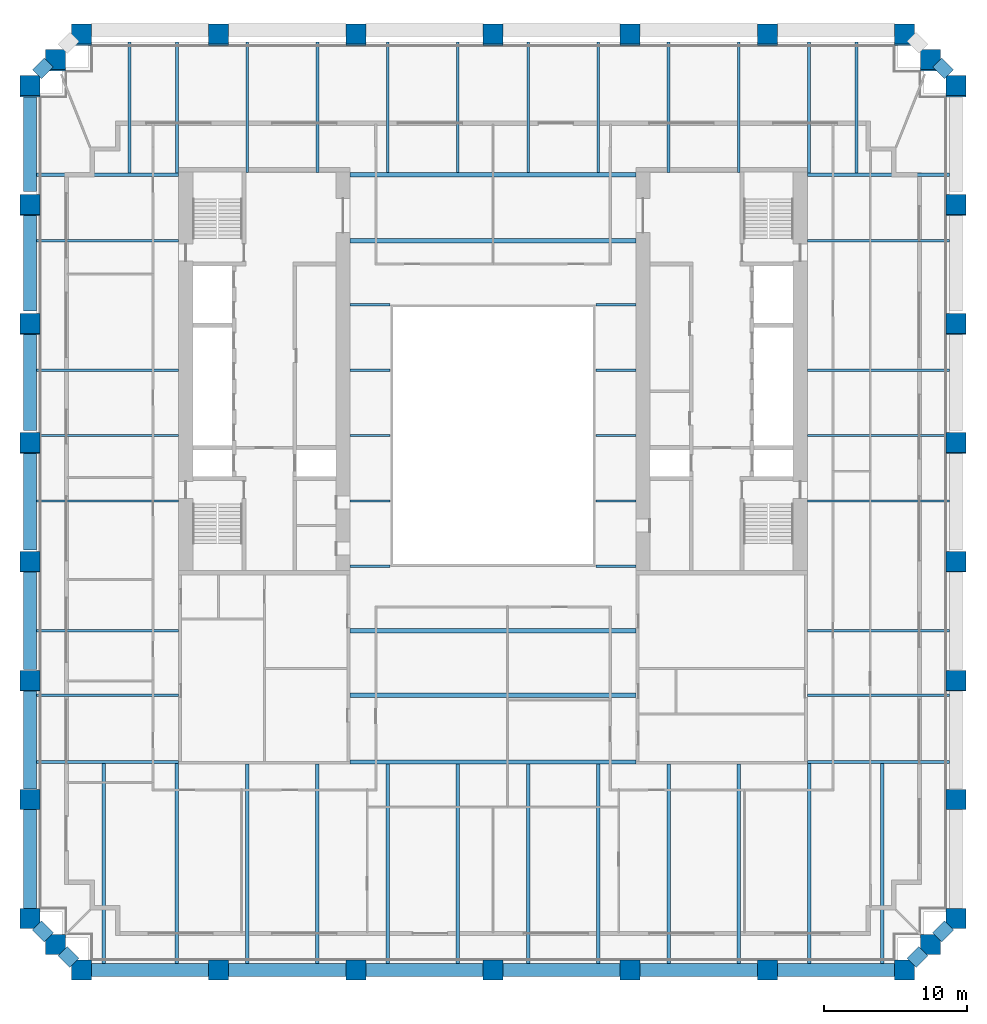
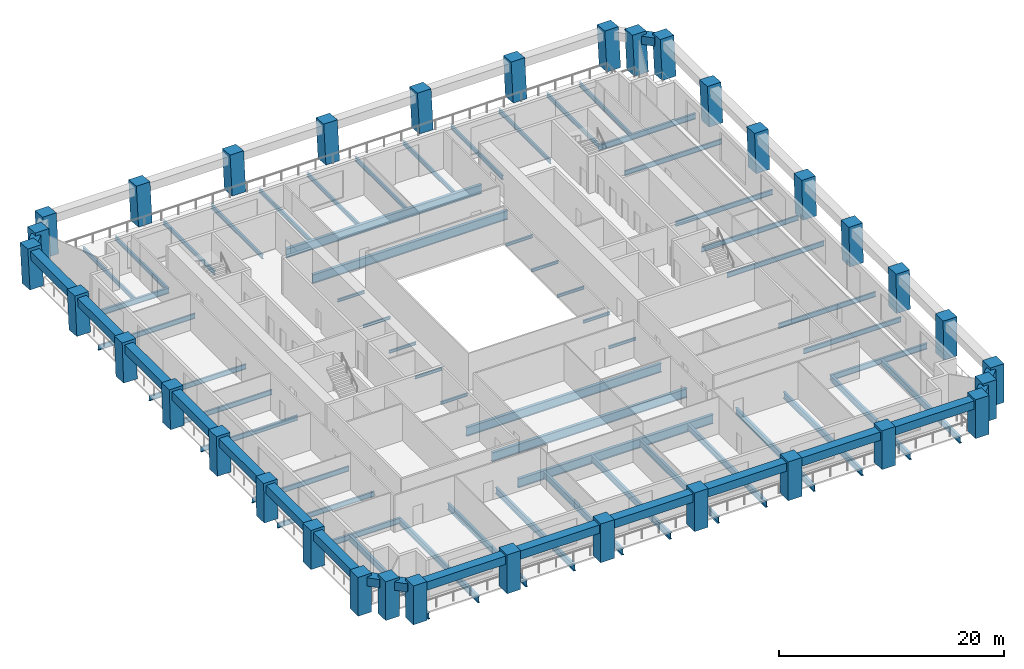
# One storey, part 1 of 10: 74 beams, 34 columns.
"""IFC4 building model written with IfcOpenShell, lengths in metres."""

from ifc_helpers import new_model, si_unit, direction, frame, origin, origin_2d, place, context, subcontext, project, spatial, rectangle, i_section, extrude, material, material_profile, profile_set, type_object, element, save


model = new_model("IFC4")

# Units and contexts
model_context = context("Model", 3, precision=1e-05, world=origin(), true_north=direction((0.0, 1.0)))
body_context = subcontext(model_context, "Body", "Model", "MODEL_VIEW")
ifc_project = project(units=[si_unit("LENGTHUNIT", "METRE"), si_unit("AREAUNIT", "SQUARE_METRE"), si_unit("VOLUMEUNIT", "CUBIC_METRE"), si_unit("PLANEANGLEUNIT", "RADIAN"), si_unit("MASSUNIT", "GRAM", prefix="KILO")], contexts=[model_context])

# Site, building, storey
site_placement = place(None, origin())
site = spatial("IfcSite", under=ifc_project, at=site_placement, CompositionType="ELEMENT")
building_placement = place(site_placement, origin())
building = spatial("IfcBuilding", under=site, at=building_placement, Name="Ogive Exchange Tower", CompositionType="ELEMENT")
storey_placement = place(building_placement, frame((0.0, 0.0, 73.199951171875)))
storey = spatial("IfcBuildingStorey", under=building, at=storey_placement, Name="L15", CompositionType="ELEMENT", Elevation=73.199951171875)

# Columns
ifc_material_1 = material(Name="Precast concrete C70/85 (limestone faced)", Category="masonry")
ifc_material_profile_1 = material_profile(ifc_material_1, rectangle(XDim=1.39990234375, YDim=1.39990234375, at=origin_2d()), Name="1400 x 1400")
ifc_profile_set_1 = profile_set([ifc_material_profile_1], Name="Precast concrete C70/85 (limestone faced)")
column_type = type_object("IfcColumnType", Name="Precast exoskeleton leg 1400 x 1400 C70/85", PredefinedType="COLUMN", material=ifc_profile_set_1)
for number, where, z_axis, x_axis, name in (
    (1, (-28.800048828125, -30.39990234375, 0.0), (0.0, 0.0, 1.0), (1.0, 0.0, 0.0), "Exoskeleton leg 1"),
    (2, (-19.199951171875, -30.39990234375, 0.0), (0.0, 0.0, 1.0), (1.0, 0.0, 0.0), "Exoskeleton leg 2"),
    (3, (-9.60009765625, -30.39990234375, 0.0), (0.0, 0.0, 1.0), (1.0, 0.0, 0.0), "Exoskeleton leg 3"),
    (4, (0.0, -30.39990234375, 0.0), (0.0, 0.0, 1.0), (1.0, 0.0, 0.0), "Exoskeleton leg 4"),
    (5, (9.60009765625, -30.39990234375, 0.0), (0.0, 0.0, 1.0), (1.0, 0.0, 0.0), "Exoskeleton leg 5"),
    (6, (19.199951171875, -30.39990234375, 0.0), (0.0, 0.0, 1.0), (1.0, 0.0, 0.0), "Exoskeleton leg 6"),
    (7, (28.800048828125, -30.39990234375, 0.0), (0.0, 0.0, 1.0), (1.0, 0.0, 0.0), "Exoskeleton leg 7"),
    (8, (32.39990234375, -26.800048828125, 0.0), (0.0, 0.0, 1.0), (1.0, 0.0, 0.0), "Exoskeleton leg 8"),
):
    element("IfcColumn", number, at=place(storey_placement, frame(where, z_axis=z_axis, x_axis=x_axis)), inside=storey, type_object=column_type, Name=name, PredefinedType="COLUMN", context=body_context, shape_type="SweptSolid", body=[
        extrude(rectangle(XDim=1.39990234375, YDim=1.39990234375, at=origin_2d()), origin(), (0.0, 0.0, 1.0), 4.199951171875),
    ])
column_1_placement = place(storey_placement, frame((32.39990234375, -18.485595703125, 0.0), z_axis=(0.0, 0.012961766342, 0.999915992778), x_axis=(-1.0, 0.0, 0.0)))
element("IfcColumn", 9, at=column_1_placement, inside=storey, type_object=column_type, Name="Exoskeleton leg 9", PredefinedType="COLUMN", context=body_context, shape_type="SweptSolid", body=[
    extrude(rectangle(XDim=1.39990234375, YDim=1.39990234375, at=origin_2d()), origin(), (0.0, 0.0, 1.0), 4.2001953125),
])
column_2_placement = place(storey_placement, frame((32.39990234375, -10.17138671875, 0.0), z_axis=(0.0, 0.025975072843, 0.999662590873), x_axis=(-1.0, 0.0, 0.0)))
element("IfcColumn", 10, at=column_2_placement, inside=storey, type_object=column_type, Name="Exoskeleton leg 10", PredefinedType="COLUMN", context=body_context, shape_type="SweptSolid", body=[
    extrude(rectangle(XDim=1.39990234375, YDim=1.39990234375, at=origin_2d()), origin(), (0.0, 0.0, 1.0), 4.201416015625),
])
column_3_placement = place(storey_placement, frame((32.39990234375, -1.857177734375, 0.0), z_axis=(0.0, 0.038917190853, 0.999242439179), x_axis=(-1.0, 0.0, 0.0)))
element("IfcColumn", 11, at=column_3_placement, inside=storey, type_object=column_type, Name="Exoskeleton leg 11", PredefinedType="COLUMN", context=body_context, shape_type="SweptSolid", body=[
    extrude(rectangle(XDim=1.39990234375, YDim=1.39990234375, at=origin_2d()), origin(), (0.0, 0.0, 1.0), 4.203125),
])
column_4_placement = place(storey_placement, frame((32.39990234375, 6.45703125, 0.0), z_axis=(0.0, 0.051897648879, 0.99865240902), x_axis=(-1.0, 0.0, 0.0)))
element("IfcColumn", 12, at=column_4_placement, inside=storey, type_object=column_type, Name="Exoskeleton leg 12", PredefinedType="COLUMN", context=body_context, shape_type="SweptSolid", body=[
    extrude(rectangle(XDim=1.39990234375, YDim=1.39990234375, at=origin_2d()), origin(), (0.0, 0.0, 1.0), 4.20556640625),
])
column_5_placement = place(storey_placement, frame((32.39990234375, 14.771484375, 0.0), z_axis=(0.0, 0.064794093908, 0.997898654872), x_axis=(-1.0, 0.0, 0.0)))
element("IfcColumn", 13, at=column_5_placement, inside=storey, type_object=column_type, Name="Exoskeleton leg 13", PredefinedType="COLUMN", context=body_context, shape_type="SweptSolid", body=[
    extrude(rectangle(XDim=1.39990234375, YDim=1.39990234375, at=origin_2d()), origin(), (0.0, 0.0, 1.0), 4.208740234375),
])
column_6_placement = place(storey_placement, frame((32.39990234375, 23.085693359375, 0.0), z_axis=(0.0, 0.07771576013, 0.996975556685), x_axis=(-1.0, 0.0, 0.0)))
element("IfcColumn", 14, at=column_6_placement, inside=storey, type_object=column_type, Name="Exoskeleton leg 14", PredefinedType="COLUMN", context=body_context, shape_type="SweptSolid", body=[
    extrude(rectangle(XDim=1.39990234375, YDim=1.39990234375, at=origin_2d()), origin(), (0.0, 0.0, 1.0), 4.212646484375),
])
for number, where, z_axis, x_axis, name in (
    (15, (32.39990234375, 31.39990234375, 0.0), (0.0, 0.090540965689, 0.995892731941), (-1.0, 0.0, 0.0), "Exoskeleton leg 15"),
    (16, (28.800048828125, 35.0, 0.0), (0.0, 0.090540965689, 0.995892731941), (-1.0, 0.0, 0.0), "Exoskeleton leg 16"),
    (17, (19.199951171875, 35.0, 0.0), (0.0, 0.090540965689, 0.995892731941), (-1.0, 0.0, 0.0), "Exoskeleton leg 17"),
    (18, (9.60009765625, 35.0, 0.0), (0.0, 0.090540965689, 0.995892731941), (-1.0, 0.0, 0.0), "Exoskeleton leg 18"),
    (19, (0.0, 35.0, 0.0), (0.0, 0.090540965689, 0.995892731941), (-1.0, 0.0, 0.0), "Exoskeleton leg 19"),
    (20, (-9.60009765625, 35.0, 0.0), (0.0, 0.090540965689, 0.995892731941), (-1.0, 0.0, 0.0), "Exoskeleton leg 20"),
    (21, (-19.199951171875, 35.0, 0.0), (0.0, 0.090540965689, 0.995892731941), (-1.0, 0.0, 0.0), "Exoskeleton leg 21"),
    (22, (-28.800048828125, 35.0, 0.0), (0.0, 0.090540965689, 0.995892731941), (-1.0, 0.0, 0.0), "Exoskeleton leg 22"),
    (23, (-32.39990234375, 31.39990234375, 0.0), (0.0, 0.090540965689, 0.995892731941), (-1.0, 0.0, 0.0), "Exoskeleton leg 23"),
):
    element("IfcColumn", number, at=place(storey_placement, frame(where, z_axis=z_axis, x_axis=x_axis)), inside=storey, type_object=column_type, Name=name, PredefinedType="COLUMN", context=body_context, shape_type="SweptSolid", body=[
        extrude(rectangle(XDim=1.39990234375, YDim=1.39990234375, at=origin_2d()), origin(), (0.0, 0.0, 1.0), 4.21728515625),
    ])
column_7_placement = place(storey_placement, frame((-32.39990234375, 23.085693359375, 0.0), z_axis=(0.0, 0.07771576013, 0.996975556685), x_axis=(-1.0, 0.0, 0.0)))
element("IfcColumn", 24, at=column_7_placement, inside=storey, type_object=column_type, Name="Exoskeleton leg 24", PredefinedType="COLUMN", context=body_context, shape_type="SweptSolid", body=[
    extrude(rectangle(XDim=1.39990234375, YDim=1.39990234375, at=origin_2d()), origin(), (0.0, 0.0, 1.0), 4.212646484375),
])
column_8_placement = place(storey_placement, frame((-32.39990234375, 14.771484375, 0.0), z_axis=(0.0, 0.064794093908, 0.997898654872), x_axis=(-1.0, 0.0, 0.0)))
element("IfcColumn", 25, at=column_8_placement, inside=storey, type_object=column_type, Name="Exoskeleton leg 25", PredefinedType="COLUMN", context=body_context, shape_type="SweptSolid", body=[
    extrude(rectangle(XDim=1.39990234375, YDim=1.39990234375, at=origin_2d()), origin(), (0.0, 0.0, 1.0), 4.208740234375),
])
column_9_placement = place(storey_placement, frame((-32.39990234375, 6.45703125, 0.0), z_axis=(0.0, 0.051897648879, 0.99865240902), x_axis=(-1.0, 0.0, 0.0)))
element("IfcColumn", 26, at=column_9_placement, inside=storey, type_object=column_type, Name="Exoskeleton leg 26", PredefinedType="COLUMN", context=body_context, shape_type="SweptSolid", body=[
    extrude(rectangle(XDim=1.39990234375, YDim=1.39990234375, at=origin_2d()), origin(), (0.0, 0.0, 1.0), 4.20556640625),
])
column_10_placement = place(storey_placement, frame((-32.39990234375, -1.857177734375, 0.0), z_axis=(0.0, 0.038917190853, 0.999242439179), x_axis=(-1.0, 0.0, 0.0)))
element("IfcColumn", 27, at=column_10_placement, inside=storey, type_object=column_type, Name="Exoskeleton leg 27", PredefinedType="COLUMN", context=body_context, shape_type="SweptSolid", body=[
    extrude(rectangle(XDim=1.39990234375, YDim=1.39990234375, at=origin_2d()), origin(), (0.0, 0.0, 1.0), 4.203125),
])
column_11_placement = place(storey_placement, frame((-32.39990234375, -10.17138671875, 0.0), z_axis=(0.0, 0.025975072843, 0.999662590873), x_axis=(-1.0, 0.0, 0.0)))
element("IfcColumn", 28, at=column_11_placement, inside=storey, type_object=column_type, Name="Exoskeleton leg 28", PredefinedType="COLUMN", context=body_context, shape_type="SweptSolid", body=[
    extrude(rectangle(XDim=1.39990234375, YDim=1.39990234375, at=origin_2d()), origin(), (0.0, 0.0, 1.0), 4.201416015625),
])
column_12_placement = place(storey_placement, frame((-32.39990234375, -18.485595703125, 0.0), z_axis=(0.0, 0.012961766342, 0.999915992778), x_axis=(-1.0, 0.0, 0.0)))
element("IfcColumn", 29, at=column_12_placement, inside=storey, type_object=column_type, Name="Exoskeleton leg 29", PredefinedType="COLUMN", context=body_context, shape_type="SweptSolid", body=[
    extrude(rectangle(XDim=1.39990234375, YDim=1.39990234375, at=origin_2d()), origin(), (0.0, 0.0, 1.0), 4.2001953125),
])
for number, where, z_axis, x_axis, name in (
    (30, (-32.39990234375, -26.800048828125, 0.0), (0.0, 0.0, 1.0), (1.0, 0.0, 0.0), "Exoskeleton leg 30"),
    (31, (30.60009765625, -28.60009765625, 0.0), (0.0, 0.0, 1.0), (1.0, 0.0, 0.0), "Exoskeleton leg 31"),
):
    element("IfcColumn", number, at=place(storey_placement, frame(where, z_axis=z_axis, x_axis=x_axis)), inside=storey, type_object=column_type, Name=name, PredefinedType="COLUMN", context=body_context, shape_type="SweptSolid", body=[
        extrude(rectangle(XDim=1.39990234375, YDim=1.39990234375, at=origin_2d()), origin(), (0.0, 0.0, 1.0), 4.199951171875),
    ])
for number, where, z_axis, x_axis, name in (
    (32, (30.60009765625, 33.199951171875, 0.0), (0.0, 0.090540965689, 0.995892731941), (-1.0, 0.0, 0.0), "Exoskeleton leg 32"),
    (33, (-30.60009765625, 33.199951171875, 0.0), (0.0, 0.090540965689, 0.995892731941), (-1.0, 0.0, 0.0), "Exoskeleton leg 33"),
):
    element("IfcColumn", number, at=place(storey_placement, frame(where, z_axis=z_axis, x_axis=x_axis)), inside=storey, type_object=column_type, Name=name, PredefinedType="COLUMN", context=body_context, shape_type="SweptSolid", body=[
        extrude(rectangle(XDim=1.39990234375, YDim=1.39990234375, at=origin_2d()), origin(), (0.0, 0.0, 1.0), 4.21728515625),
    ])
column_13_placement = place(storey_placement, frame((-30.60009765625, -28.60009765625, 0.0), z_axis=(0.0, 0.0, 1.0), x_axis=(1.0, 0.0, 0.0)))
element("IfcColumn", 34, at=column_13_placement, inside=storey, type_object=column_type, Name="Exoskeleton leg 34", PredefinedType="COLUMN", context=body_context, shape_type="SweptSolid", body=[
    extrude(rectangle(XDim=1.39990234375, YDim=1.39990234375, at=origin_2d()), origin(), (0.0, 0.0, 1.0), 4.199951171875),
])

# Beams
ifc_material_2 = material(Name="Steel ASTM A992 Gr50", Category="steel")
ifc_material_profile_2 = material_profile(ifc_material_2, i_section(OverallWidth=0.300048828125, OverallDepth=0.969970703125, WebThickness=0.01611328125, FlangeThickness=0.02099609375, at=origin_2d()), Name="W1000x222")
ifc_profile_set_2 = profile_set([ifc_material_profile_2], Name="Steel ASTM A992 Gr50")
beam_type_1 = type_object("IfcBeamType", Name="Floor beam W1000x222", PredefinedType="JOIST", material=ifc_profile_set_2)
for number, where, z_axis, x_axis, name in (
    (35, (-10.0, -11.17822265625, -0.68505859375), (1.0, 0.0, 0.0), (0.0, 1.0, 0.0), "Floor beam"),
    (36, (-10.0, -6.666748046875, -0.68505859375), (1.0, 0.0, 0.0), (0.0, 1.0, 0.0), "Floor beam"),
    (37, (-10.0, 20.62255859375, -0.68505859375), (1.0, 0.0, 0.0), (0.0, 1.0, 0.0), "Floor beam"),
):
    element("IfcBeam", number, at=place(storey_placement, frame(where, z_axis=z_axis, x_axis=x_axis)), inside=storey, type_object=beam_type_1, Name=name, PredefinedType="JOIST", context=body_context, shape_type="SweptSolid", body=[
        extrude(i_section(OverallWidth=0.300048828125, OverallDepth=0.969970703125, WebThickness=0.01611328125, FlangeThickness=0.02099609375, at=origin_2d()), origin(), (0.0, 0.0, 1.0), 20.0),
    ])
ifc_material_profile_3 = material_profile(ifc_material_2, i_section(OverallWidth=0.1650390625, OverallDepth=0.31005859375, WebThickness=0.005859375, FlangeThickness=0.009765625, at=origin_2d()), Name="W310x38.7")
ifc_profile_set_3 = profile_set([ifc_material_profile_3], Name="Steel ASTM A992 Gr50")
beam_type_2 = type_object("IfcBeamType", Name="Floor beam W310x38.7", PredefinedType="JOIST", material=ifc_profile_set_3)
for number, where, z_axis, x_axis, name in (
    (38, (-10.0, 2.422607421875, -0.35498046875), (1.0, 0.0, 0.0), (0.0, 1.0, 0.0), "Floor beam"),
    (39, (7.219970703125, 2.422607421875, -0.35498046875), (1.0, 0.0, 0.0), (0.0, 1.0, 0.0), "Floor beam"),
    (40, (-10.0, 7.0, -0.35498046875), (1.0, 0.0, 0.0), (0.0, 1.0, 0.0), "Floor beam"),
    (41, (7.219970703125, 7.0, -0.35498046875), (1.0, 0.0, 0.0), (0.0, 1.0, 0.0), "Floor beam"),
    (42, (-10.0, 11.577392578125, -0.35498046875), (1.0, 0.0, 0.0), (0.0, 1.0, 0.0), "Floor beam"),
    (43, (7.219970703125, 11.577392578125, -0.35498046875), (1.0, 0.0, 0.0), (0.0, 1.0, 0.0), "Floor beam"),
):
    element("IfcBeam", number, at=place(storey_placement, frame(where, z_axis=z_axis, x_axis=x_axis)), inside=storey, type_object=beam_type_2, Name=name, PredefinedType="JOIST", context=body_context, shape_type="SweptSolid", body=[
        extrude(i_section(OverallWidth=0.1650390625, OverallDepth=0.31005859375, WebThickness=0.005859375, FlangeThickness=0.009765625, at=origin_2d()), origin(), (0.0, 0.0, 1.0), 2.780029296875),
    ])
ifc_material_profile_4 = material_profile(ifc_material_2, i_section(OverallWidth=0.19091796875, OverallDepth=0.45703125, WebThickness=0.009033203125, FlangeThickness=0.014404296875, at=origin_2d()), Name="W460x74")
ifc_profile_set_4 = profile_set([ifc_material_profile_4], Name="Steel ASTM A992 Gr50")
beam_type_3 = type_object("IfcBeamType", Name="Floor beam W460x74", PredefinedType="JOIST", material=ifc_profile_set_4)
for number, where, z_axis, x_axis, name in (
    (44, (-25.4345703125, 25.35888671875, -0.428466796875), (0.0, 1.0, 0.0), (-1.0, 0.0, 0.0), "Floor beam"),
    (45, (-22.119140625, 25.35888671875, -0.428466796875), (0.0, 1.0, 0.0), (-1.0, 0.0, 0.0), "Floor beam"),
):
    element("IfcBeam", number, at=place(storey_placement, frame(where, z_axis=z_axis, x_axis=x_axis)), inside=storey, type_object=beam_type_3, Name=name, PredefinedType="JOIST", context=body_context, shape_type="SweptSolid", body=[
        extrude(i_section(OverallWidth=0.19091796875, OverallDepth=0.45703125, WebThickness=0.009033203125, FlangeThickness=0.014404296875, at=origin_2d()), origin(), (0.0, 0.0, 1.0), 9.191162109375),
    ])
for number, where, z_axis, x_axis, name in (
    (46, (-17.203857421875, 25.39990234375, -0.428466796875), (0.0, 1.0, 0.0), (-1.0, 0.0, 0.0), "Floor beam"),
    (47, (-12.28857421875, 25.39990234375, -0.428466796875), (0.0, 1.0, 0.0), (-1.0, 0.0, 0.0), "Floor beam"),
):
    element("IfcBeam", number, at=place(storey_placement, frame(where, z_axis=z_axis, x_axis=x_axis)), inside=storey, type_object=beam_type_3, Name=name, PredefinedType="JOIST", context=body_context, shape_type="SweptSolid", body=[
        extrude(i_section(OverallWidth=0.19091796875, OverallDepth=0.45703125, WebThickness=0.009033203125, FlangeThickness=0.014404296875, at=origin_2d()), origin(), (0.0, 0.0, 1.0), 9.150146484375),
    ])
for number, where, z_axis, x_axis, name in (
    (48, (-7.373046875, 25.39501953125, -0.428466796875), (0.0, 1.0, 0.0), (-1.0, 0.0, 0.0), "Floor beam"),
    (49, (-2.457763671875, 25.39501953125, -0.428466796875), (0.0, 1.0, 0.0), (-1.0, 0.0, 0.0), "Floor beam"),
    (50, (2.457763671875, 25.39501953125, -0.428466796875), (0.0, 1.0, 0.0), (-1.0, 0.0, 0.0), "Floor beam"),
    (51, (7.373046875, 25.39501953125, -0.428466796875), (0.0, 1.0, 0.0), (-1.0, 0.0, 0.0), "Floor beam"),
):
    element("IfcBeam", number, at=place(storey_placement, frame(where, z_axis=z_axis, x_axis=x_axis)), inside=storey, type_object=beam_type_3, Name=name, PredefinedType="JOIST", context=body_context, shape_type="SweptSolid", body=[
        extrude(i_section(OverallWidth=0.19091796875, OverallDepth=0.45703125, WebThickness=0.009033203125, FlangeThickness=0.014404296875, at=origin_2d()), origin(), (0.0, 0.0, 1.0), 9.155029296875),
    ])
for number, where, z_axis, x_axis, name in (
    (52, (12.28857421875, 25.39990234375, -0.428466796875), (0.0, 1.0, 0.0), (-1.0, 0.0, 0.0), "Floor beam"),
    (53, (17.203857421875, 25.39990234375, -0.428466796875), (0.0, 1.0, 0.0), (-1.0, 0.0, 0.0), "Floor beam"),
):
    element("IfcBeam", number, at=place(storey_placement, frame(where, z_axis=z_axis, x_axis=x_axis)), inside=storey, type_object=beam_type_3, Name=name, PredefinedType="JOIST", context=body_context, shape_type="SweptSolid", body=[
        extrude(i_section(OverallWidth=0.19091796875, OverallDepth=0.45703125, WebThickness=0.009033203125, FlangeThickness=0.014404296875, at=origin_2d()), origin(), (0.0, 0.0, 1.0), 9.150146484375),
    ])
for number, where, z_axis, x_axis, name in (
    (54, (22.119140625, 25.35888671875, -0.428466796875), (0.0, 1.0, 0.0), (-1.0, 0.0, 0.0), "Floor beam"),
    (55, (25.4345703125, 25.35888671875, -0.428466796875), (0.0, 1.0, 0.0), (-1.0, 0.0, 0.0), "Floor beam"),
):
    element("IfcBeam", number, at=place(storey_placement, frame(where, z_axis=z_axis, x_axis=x_axis)), inside=storey, type_object=beam_type_3, Name=name, PredefinedType="JOIST", context=body_context, shape_type="SweptSolid", body=[
        extrude(i_section(OverallWidth=0.19091796875, OverallDepth=0.45703125, WebThickness=0.009033203125, FlangeThickness=0.014404296875, at=origin_2d()), origin(), (0.0, 0.0, 1.0), 9.191162109375),
    ])
ifc_material_profile_5 = material_profile(ifc_material_2, i_section(OverallWidth=0.1669921875, OverallDepth=0.535888671875, WebThickness=0.01025390625, FlangeThickness=0.0166015625, at=origin_2d()), Name="W530x85")
ifc_profile_set_5 = profile_set([ifc_material_profile_5], Name="Steel ASTM A992 Gr50")
beam_type_4 = type_object("IfcBeamType", Name="Floor beam W530x85", PredefinedType="JOIST", material=ifc_profile_set_5)
for number, where, z_axis, x_axis, name in (
    (56, (-31.949951171875, -11.17822265625, -0.468017578125), (1.0, 0.0, 0.0), (0.0, 1.0, 0.0), "Floor beam"),
    (57, (22.0, -11.17822265625, -0.468017578125), (1.0, 0.0, 0.0), (0.0, 1.0, 0.0), "Floor beam"),
    (58, (-31.949951171875, -6.666748046875, -0.468017578125), (1.0, 0.0, 0.0), (0.0, 1.0, 0.0), "Floor beam"),
    (59, (22.0, -6.666748046875, -0.468017578125), (1.0, 0.0, 0.0), (0.0, 1.0, 0.0), "Floor beam"),
    (60, (-31.949951171875, 2.422607421875, -0.468017578125), (1.0, 0.0, 0.0), (0.0, 1.0, 0.0), "Floor beam"),
    (61, (22.0, 2.422607421875, -0.468017578125), (1.0, 0.0, 0.0), (0.0, 1.0, 0.0), "Floor beam"),
    (62, (-31.949951171875, 7.0, -0.468017578125), (1.0, 0.0, 0.0), (0.0, 1.0, 0.0), "Floor beam"),
    (63, (22.0, 7.0, -0.468017578125), (1.0, 0.0, 0.0), (0.0, 1.0, 0.0), "Floor beam"),
    (64, (-31.949951171875, 11.577392578125, -0.468017578125), (1.0, 0.0, 0.0), (0.0, 1.0, 0.0), "Floor beam"),
    (65, (22.0, 11.577392578125, -0.468017578125), (1.0, 0.0, 0.0), (0.0, 1.0, 0.0), "Floor beam"),
    (66, (-31.949951171875, 20.62255859375, -0.468017578125), (1.0, 0.0, 0.0), (0.0, 1.0, 0.0), "Floor beam"),
    (67, (22.0, 20.62255859375, -0.468017578125), (1.0, 0.0, 0.0), (0.0, 1.0, 0.0), "Floor beam"),
):
    element("IfcBeam", number, at=place(storey_placement, frame(where, z_axis=z_axis, x_axis=x_axis)), inside=storey, type_object=beam_type_4, Name=name, PredefinedType="JOIST", context=body_context, shape_type="SweptSolid", body=[
        extrude(i_section(OverallWidth=0.1669921875, OverallDepth=0.535888671875, WebThickness=0.01025390625, FlangeThickness=0.0166015625, at=origin_2d()), origin(), (0.0, 0.0, 1.0), 9.949951171875),
    ])
ifc_material_profile_6 = material_profile(ifc_material_2, i_section(OverallWidth=0.25390625, OverallDepth=0.677978515625, WebThickness=0.01171875, FlangeThickness=0.016357421875, at=origin_2d()), Name="W690x125")
ifc_profile_set_6 = profile_set([ifc_material_profile_6], Name="Steel ASTM A992 Gr50")
beam_type_5 = type_object("IfcBeamType", Name="Floor beam W690x125", PredefinedType="JOIST", material=ifc_profile_set_6)
for number, where, z_axis, x_axis, name in (
    (68, (-27.234619140625, -29.949951171875, -0.5390625), (0.0, 1.0, 0.0), (-1.0, 0.0, 0.0), "Floor beam"),
    (69, (-22.119140625, -29.949951171875, -0.5390625), (0.0, 1.0, 0.0), (-1.0, 0.0, 0.0), "Floor beam"),
):
    element("IfcBeam", number, at=place(storey_placement, frame(where, z_axis=z_axis, x_axis=x_axis)), inside=storey, type_object=beam_type_5, Name=name, PredefinedType="JOIST", context=body_context, shape_type="SweptSolid", body=[
        extrude(i_section(OverallWidth=0.25390625, OverallDepth=0.677978515625, WebThickness=0.01171875, FlangeThickness=0.016357421875, at=origin_2d()), origin(), (0.0, 0.0, 1.0), 13.990966796875),
    ])
for number, where, z_axis, x_axis, name in (
    (70, (-17.203857421875, -29.949951171875, -0.5390625), (0.0, 1.0, 0.0), (-1.0, 0.0, 0.0), "Floor beam"),
    (71, (-12.28857421875, -29.949951171875, -0.5390625), (0.0, 1.0, 0.0), (-1.0, 0.0, 0.0), "Floor beam"),
):
    element("IfcBeam", number, at=place(storey_placement, frame(where, z_axis=z_axis, x_axis=x_axis)), inside=storey, type_object=beam_type_5, Name=name, PredefinedType="JOIST", context=body_context, shape_type="SweptSolid", body=[
        extrude(i_section(OverallWidth=0.25390625, OverallDepth=0.677978515625, WebThickness=0.01171875, FlangeThickness=0.016357421875, at=origin_2d()), origin(), (0.0, 0.0, 1.0), 13.949951171875),
    ])
for number, where, z_axis, x_axis, name in (
    (72, (-7.373046875, -29.949951171875, -0.5390625), (0.0, 1.0, 0.0), (-1.0, 0.0, 0.0), "Floor beam"),
    (73, (-2.457763671875, -29.949951171875, -0.5390625), (0.0, 1.0, 0.0), (-1.0, 0.0, 0.0), "Floor beam"),
    (74, (2.457763671875, -29.949951171875, -0.5390625), (0.0, 1.0, 0.0), (-1.0, 0.0, 0.0), "Floor beam"),
    (75, (7.373046875, -29.949951171875, -0.5390625), (0.0, 1.0, 0.0), (-1.0, 0.0, 0.0), "Floor beam"),
):
    element("IfcBeam", number, at=place(storey_placement, frame(where, z_axis=z_axis, x_axis=x_axis)), inside=storey, type_object=beam_type_5, Name=name, PredefinedType="JOIST", context=body_context, shape_type="SweptSolid", body=[
        extrude(i_section(OverallWidth=0.25390625, OverallDepth=0.677978515625, WebThickness=0.01171875, FlangeThickness=0.016357421875, at=origin_2d()), origin(), (0.0, 0.0, 1.0), 13.954833984375),
    ])
for number, where, z_axis, x_axis, name in (
    (76, (12.28857421875, -29.949951171875, -0.5390625), (0.0, 1.0, 0.0), (-1.0, 0.0, 0.0), "Floor beam"),
    (77, (17.203857421875, -29.949951171875, -0.5390625), (0.0, 1.0, 0.0), (-1.0, 0.0, 0.0), "Floor beam"),
):
    element("IfcBeam", number, at=place(storey_placement, frame(where, z_axis=z_axis, x_axis=x_axis)), inside=storey, type_object=beam_type_5, Name=name, PredefinedType="JOIST", context=body_context, shape_type="SweptSolid", body=[
        extrude(i_section(OverallWidth=0.25390625, OverallDepth=0.677978515625, WebThickness=0.01171875, FlangeThickness=0.016357421875, at=origin_2d()), origin(), (0.0, 0.0, 1.0), 13.949951171875),
    ])
for number, where, z_axis, x_axis, name in (
    (78, (22.119140625, -29.949951171875, -0.5390625), (0.0, 1.0, 0.0), (-1.0, 0.0, 0.0), "Floor beam"),
    (79, (27.234619140625, -29.949951171875, -0.5390625), (0.0, 1.0, 0.0), (-1.0, 0.0, 0.0), "Floor beam"),
):
    element("IfcBeam", number, at=place(storey_placement, frame(where, z_axis=z_axis, x_axis=x_axis)), inside=storey, type_object=beam_type_5, Name=name, PredefinedType="JOIST", context=body_context, shape_type="SweptSolid", body=[
        extrude(i_section(OverallWidth=0.25390625, OverallDepth=0.677978515625, WebThickness=0.01171875, FlangeThickness=0.016357421875, at=origin_2d()), origin(), (0.0, 0.0, 1.0), 13.990966796875),
    ])
ifc_material_profile_7 = material_profile(ifc_material_2, i_section(OverallWidth=0.300048828125, OverallDepth=0.97998046875, WebThickness=0.0166015625, FlangeThickness=0.026123046875, at=origin_2d()), Name="W1000x249")
ifc_profile_set_7 = profile_set([ifc_material_profile_7], Name="Steel ASTM A992 Gr50")
beam_type_6 = type_object("IfcBeamType", Name="Girder W1000x249", PredefinedType="BEAM", material=ifc_profile_set_7)
for number, where, z_axis, x_axis, name in (
    (80, (-10.0, -15.844970703125, -0.68994140625), (1.0, 0.0, 0.0), (0.0, 1.0, 0.0), "Header girder"),
    (81, (-10.0, 25.2451171875, -0.68994140625), (1.0, 0.0, 0.0), (0.0, 1.0, 0.0), "Header girder"),
):
    element("IfcBeam", number, at=place(storey_placement, frame(where, z_axis=z_axis, x_axis=x_axis)), inside=storey, type_object=beam_type_6, Name=name, PredefinedType="BEAM", context=body_context, shape_type="SweptSolid", body=[
        extrude(i_section(OverallWidth=0.300048828125, OverallDepth=0.97998046875, WebThickness=0.0166015625, FlangeThickness=0.026123046875, at=origin_2d()), origin(), (0.0, 0.0, 1.0), 20.0),
    ])
ifc_material_profile_8 = material_profile(ifc_material_2, i_section(OverallWidth=0.1650390625, OverallDepth=0.31005859375, WebThickness=0.005859375, FlangeThickness=0.009765625, at=origin_2d()), Name="W310x38.7")
ifc_profile_set_8 = profile_set([ifc_material_profile_8], Name="Steel ASTM A992 Gr50")
beam_type_7 = type_object("IfcBeamType", Name="Girder W310x38.7", PredefinedType="BEAM", material=ifc_profile_set_8)
for number, where, z_axis, x_axis, name in (
    (82, (-10.0, -2.155029296875, -0.35498046875), (1.0, 0.0, 0.0), (0.0, 1.0, 0.0), "Trimmer girder"),
    (83, (7.219970703125, -2.155029296875, -0.35498046875), (1.0, 0.0, 0.0), (0.0, 1.0, 0.0), "Trimmer girder"),
    (84, (-10.0, 16.155029296875, -0.35498046875), (1.0, 0.0, 0.0), (0.0, 1.0, 0.0), "Trimmer girder"),
    (85, (7.219970703125, 16.155029296875, -0.35498046875), (1.0, 0.0, 0.0), (0.0, 1.0, 0.0), "Trimmer girder"),
):
    element("IfcBeam", number, at=place(storey_placement, frame(where, z_axis=z_axis, x_axis=x_axis)), inside=storey, type_object=beam_type_7, Name=name, PredefinedType="BEAM", context=body_context, shape_type="SweptSolid", body=[
        extrude(i_section(OverallWidth=0.1650390625, OverallDepth=0.31005859375, WebThickness=0.005859375, FlangeThickness=0.009765625, at=origin_2d()), origin(), (0.0, 0.0, 1.0), 2.780029296875),
    ])
ifc_material_profile_9 = material_profile(ifc_material_2, i_section(OverallWidth=0.22802734375, OverallDepth=0.60205078125, WebThickness=0.010498046875, FlangeThickness=0.014892578125, at=origin_2d()), Name="W610x101")
ifc_profile_set_9 = profile_set([ifc_material_profile_9], Name="Steel ASTM A992 Gr50")
beam_type_8 = type_object("IfcBeamType", Name="Girder W610x101", PredefinedType="BEAM", material=ifc_profile_set_9)
for number, where, z_axis, x_axis, name in (
    (86, (-31.949951171875, -15.844970703125, -0.5009765625), (1.0, 0.0, 0.0), (0.0, 1.0, 0.0), "Header girder"),
    (87, (22.0, -15.844970703125, -0.5009765625), (1.0, 0.0, 0.0), (0.0, 1.0, 0.0), "Header girder"),
    (88, (-31.949951171875, 25.2451171875, -0.5009765625), (1.0, 0.0, 0.0), (0.0, 1.0, 0.0), "Header girder"),
    (89, (22.0, 25.2451171875, -0.5009765625), (1.0, 0.0, 0.0), (0.0, 1.0, 0.0), "Header girder"),
):
    element("IfcBeam", number, at=place(storey_placement, frame(where, z_axis=z_axis, x_axis=x_axis)), inside=storey, type_object=beam_type_8, Name=name, PredefinedType="BEAM", context=body_context, shape_type="SweptSolid", body=[
        extrude(i_section(OverallWidth=0.22802734375, OverallDepth=0.60205078125, WebThickness=0.010498046875, FlangeThickness=0.014892578125, at=origin_2d()), origin(), (0.0, 0.0, 1.0), 9.949951171875),
    ])
ifc_material_profile_10 = material_profile(ifc_material_1, rectangle(XDim=0.89990234375, YDim=0.89990234375, at=origin_2d()), Name="900 x 900")
ifc_profile_set_10 = profile_set([ifc_material_profile_10], Name="Precast concrete C70/85 (limestone faced)")
beam_type_9 = type_object("IfcBeamType", Name="Precast spandrel 900 x 900 C70/85", PredefinedType="SPANDREL", material=ifc_profile_set_10)
beam_1_placement = place(storey_placement, frame((-28.1201171875, -30.39990234375, 3.5), z_axis=(1.0, 0.0, 0.0), x_axis=(0.0, 1.0, 0.0)))
element("IfcBeam", 90, at=beam_1_placement, inside=storey, type_object=beam_type_9, Name="Spandrel 1", PredefinedType="SPANDREL", context=body_context, shape_type="SweptSolid", body=[
    extrude(rectangle(XDim=0.89990234375, YDim=0.89990234375, at=origin_2d()), origin(), (0.0, 0.0, 1.0), 8.240234375),
])
for number, where, z_axis, x_axis, name in (
    (91, (-18.52001953125, -30.39990234375, 3.5), (1.0, 0.0, 0.0), (0.0, 1.0, 0.0), "Spandrel 2"),
    (92, (-8.919921875, -30.39990234375, 3.5), (1.0, 0.0, 0.0), (0.0, 1.0, 0.0), "Spandrel 3"),
    (93, (0.679931640625, -30.39990234375, 3.5), (1.0, 0.0, 0.0), (0.0, 1.0, 0.0), "Spandrel 4"),
    (94, (10.280029296875, -30.39990234375, 3.5), (1.0, 0.0, 0.0), (0.0, 1.0, 0.0), "Spandrel 5"),
):
    element("IfcBeam", number, at=place(storey_placement, frame(where, z_axis=z_axis, x_axis=x_axis)), inside=storey, type_object=beam_type_9, Name=name, PredefinedType="SPANDREL", context=body_context, shape_type="SweptSolid", body=[
        extrude(rectangle(XDim=0.89990234375, YDim=0.89990234375, at=origin_2d()), origin(), (0.0, 0.0, 1.0), 8.239990234375),
    ])
beam_2_placement = place(storey_placement, frame((19.8798828125, -30.39990234375, 3.5), z_axis=(1.0, 0.0, 0.0), x_axis=(0.0, 1.0, 0.0)))
element("IfcBeam", 95, at=beam_2_placement, inside=storey, type_object=beam_type_9, Name="Spandrel 6", PredefinedType="SPANDREL", context=body_context, shape_type="SweptSolid", body=[
    extrude(rectangle(XDim=0.89990234375, YDim=0.89990234375, at=origin_2d()), origin(), (0.0, 0.0, 1.0), 8.240234375),
])
for number, where, z_axis, x_axis, name in (
    (96, (29.287841796875, -29.912109375, 3.5), (0.707106781187, 0.707106781187, 0.0), (-0.707106781187, 0.707106781187, 0.0), "Spandrel 7"),
    (97, (31.087890625, -28.112060546875, 3.5), (0.707106781187, 0.707106781187, 0.0), (-0.707106781187, 0.707106781187, 0.0), "Spandrel 8"),
    (98, (31.912109375, 32.269775390625, 3.5), (-0.707106781187, 0.707106781187, 0.0), (-0.707106781187, -0.707106781187, 0.0), "Spandrel 16"),
    (99, (-31.087890625, 33.093994140625, 3.5), (-0.707106781187, -0.707106781187, 0.0), (0.707106781187, -0.707106781187, 0.0), "Spandrel 25"),
):
    element("IfcBeam", number, at=place(storey_placement, frame(where, z_axis=z_axis, x_axis=x_axis)), inside=storey, type_object=beam_type_9, Name=name, PredefinedType="SPANDREL", context=body_context, shape_type="SweptSolid", body=[
        extrude(rectangle(XDim=0.89990234375, YDim=0.89990234375, at=origin_2d()), origin(), (0.0, 0.0, 1.0), 1.16552734375),
    ])
for number, where, z_axis, x_axis, name in (
    (100, (-32.39990234375, 31.101806640625, 3.5), (0.0, -1.0, 0.0), (1.0, 0.0, 0.0), "Spandrel 26"),
    (101, (-32.39990234375, 22.73291015625, 3.5), (0.0, -1.0, 0.0), (1.0, 0.0, 0.0), "Spandrel 27"),
):
    element("IfcBeam", number, at=place(storey_placement, frame(where, z_axis=z_axis, x_axis=x_axis)), inside=storey, type_object=beam_type_9, Name=name, PredefinedType="SPANDREL", context=body_context, shape_type="SweptSolid", body=[
        extrude(rectangle(XDim=0.89990234375, YDim=0.89990234375, at=origin_2d()), origin(), (0.0, 0.0, 1.0), 7.0087890625),
    ])
beam_3_placement = place(storey_placement, frame((-32.39990234375, 14.3642578125, 3.5), z_axis=(0.0, -1.0, 0.0), x_axis=(1.0, 0.0, 0.0)))
element("IfcBeam", 102, at=beam_3_placement, inside=storey, type_object=beam_type_9, Name="Spandrel 28", PredefinedType="SPANDREL", context=body_context, shape_type="SweptSolid", body=[
    extrude(rectangle(XDim=0.89990234375, YDim=0.89990234375, at=origin_2d()), origin(), (0.0, 0.0, 1.0), 7.009033203125),
])
for number, where, z_axis, x_axis, name in (
    (103, (-32.39990234375, 5.995361328125, 3.5), (0.0, -1.0, 0.0), (1.0, 0.0, 0.0), "Spandrel 29"),
    (104, (-32.39990234375, -2.37353515625, 3.5), (0.0, -1.0, 0.0), (1.0, 0.0, 0.0), "Spandrel 30"),
):
    element("IfcBeam", number, at=place(storey_placement, frame(where, z_axis=z_axis, x_axis=x_axis)), inside=storey, type_object=beam_type_9, Name=name, PredefinedType="SPANDREL", context=body_context, shape_type="SweptSolid", body=[
        extrude(rectangle(XDim=0.89990234375, YDim=0.89990234375, at=origin_2d()), origin(), (0.0, 0.0, 1.0), 7.0087890625),
    ])
for number, where, z_axis, x_axis, name in (
    (105, (-32.39990234375, -10.7421875, 3.5), (0.0, -1.0, 0.0), (1.0, 0.0, 0.0), "Spandrel 31"),
    (106, (-32.39990234375, -19.111083984375, 3.5), (0.0, -1.0, 0.0), (1.0, 0.0, 0.0), "Spandrel 32"),
):
    element("IfcBeam", number, at=place(storey_placement, frame(where, z_axis=z_axis, x_axis=x_axis)), inside=storey, type_object=beam_type_9, Name=name, PredefinedType="SPANDREL", context=body_context, shape_type="SweptSolid", body=[
        extrude(rectangle(XDim=0.89990234375, YDim=0.89990234375, at=origin_2d()), origin(), (0.0, 0.0, 1.0), 7.009033203125),
    ])
for number, where, z_axis, x_axis, name in (
    (107, (-31.912109375, -27.287841796875, 3.5), (0.707106781187, -0.707106781187, 0.0), (0.707106781187, 0.707106781187, 0.0), "Spandrel 33"),
    (108, (-30.112060546875, -29.087890625, 3.5), (0.707106781187, -0.707106781187, 0.0), (0.707106781187, 0.707106781187, 0.0), "Spandrel 34"),
):
    element("IfcBeam", number, at=place(storey_placement, frame(where, z_axis=z_axis, x_axis=x_axis)), inside=storey, type_object=beam_type_9, Name=name, PredefinedType="SPANDREL", context=body_context, shape_type="SweptSolid", body=[
        extrude(rectangle(XDim=0.89990234375, YDim=0.89990234375, at=origin_2d()), origin(), (0.0, 0.0, 1.0), 1.16552734375),
    ])

save(model, "model.ifc")
